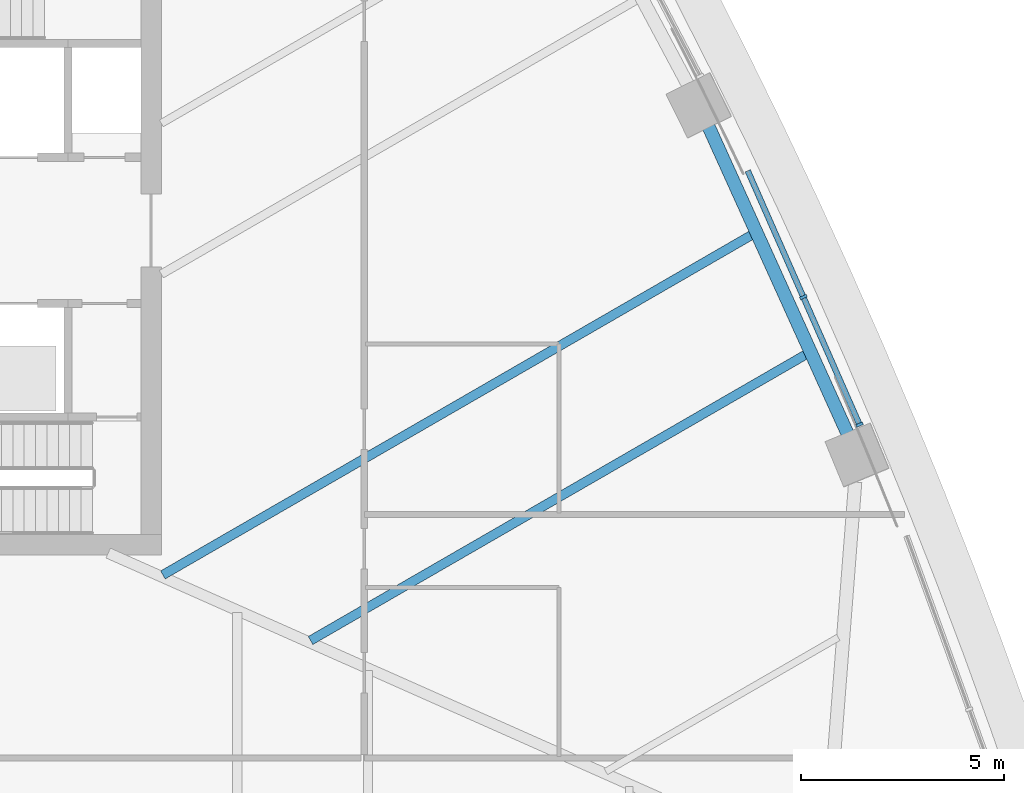
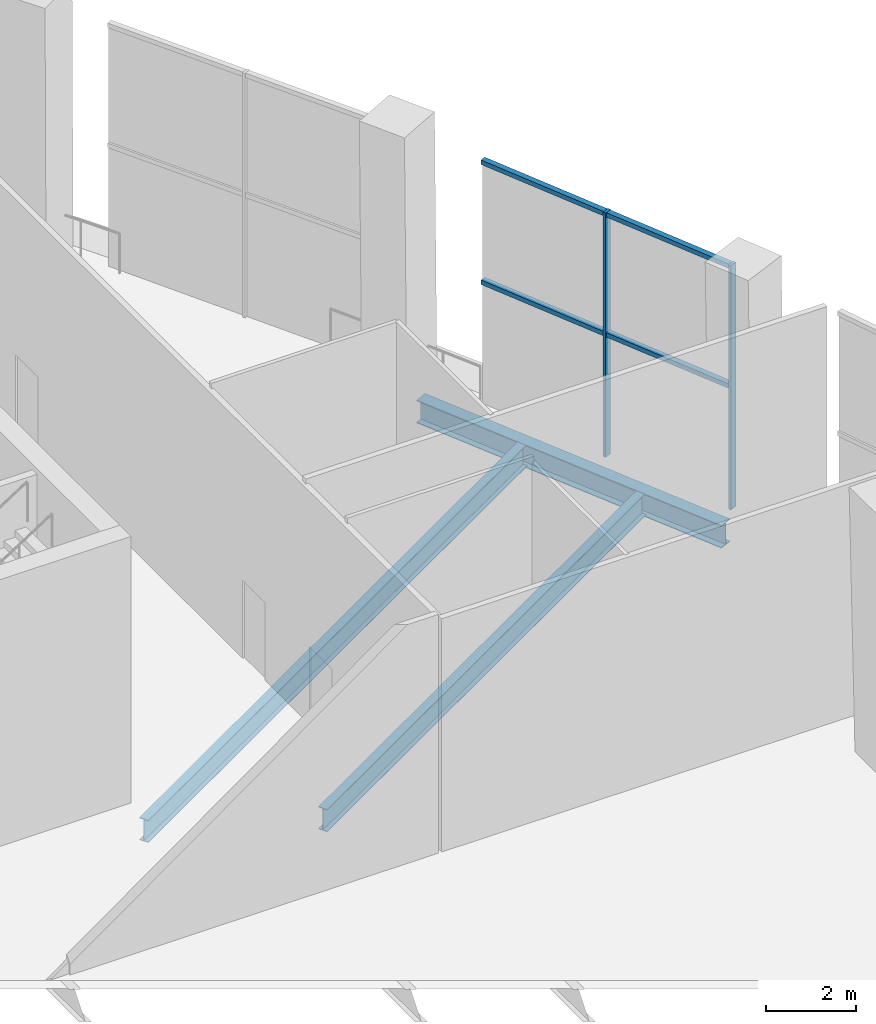
# One storey, part 6 of 23: 6 members, 3 beams, 1 element without a shape of its own.
"""IFC4 building model written with IfcOpenShell, lengths in metres."""

from ifc_helpers import new_model, si_unit, direction, frame, origin, origin_2d, place, context, subcontext, project, spatial, rectangle, i_section, extrude, material, layer, layer_set, material_profile, profile_set, type_object, element, aggregate, save


model = new_model("IFC4")

# Units and contexts
model_context = context("Model", 3, precision=1e-05, world=origin(), true_north=direction((0.0, 1.0)))
body_context = subcontext(model_context, "Body", "Model", "MODEL_VIEW")
ifc_project = project(units=[si_unit("LENGTHUNIT", "METRE"), si_unit("AREAUNIT", "SQUARE_METRE"), si_unit("VOLUMEUNIT", "CUBIC_METRE"), si_unit("PLANEANGLEUNIT", "RADIAN"), si_unit("MASSUNIT", "GRAM", prefix="KILO")], contexts=[model_context])

# Site, building, storey
site_placement = place(None, origin())
site = spatial("IfcSite", under=ifc_project, at=site_placement, CompositionType="ELEMENT")
building_placement = place(site_placement, origin())
building = spatial("IfcBuilding", under=site, at=building_placement, Name="Sierra Prisma Convention Tower", CompositionType="ELEMENT")
storey_placement = place(building_placement, frame((0.0, 0.0, 40.800048828125)))
storey = spatial("IfcBuildingStorey", under=building, at=storey_placement, Name="L06", CompositionType="ELEMENT", Elevation=40.800048828125)

# Curtain wall, members
ifc_material_1 = material(Name="Aluminium and glass curtain wall", Category="aluminium")
ifc_layer = layer(ifc_material_1, 0.179931640625)
ifc_layer_set = layer_set([ifc_layer], Name="CW-4 Sky lobby double-height curtain wall")
curtain_wall_type = type_object("IfcCurtainWallType", Name="CW-4 Sky lobby double-height curtain wall", PredefinedType="NOTDEFINED", material=ifc_layer_set)
curtain_wall_placement = place(storey_placement, origin())
curtain_wall = element("IfcCurtainWall", 1, at=curtain_wall_placement, inside=storey, type_object=curtain_wall_type, Name="CW-4 NE2 L06", PredefinedType="NOTDEFINED")
ifc_material_2 = material(Name="Aluminium 6063-T6 bronze anodised", Category="aluminium")
ifc_material_profile_1 = material_profile(ifc_material_2, rectangle(XDim=0.179931640625, YDim=0.070068359375, at=origin_2d()), Name="ALU MULLION 70x180")
ifc_profile_set_1 = profile_set([ifc_material_profile_1], Name="Aluminium 6063-T6 bronze anodised")
member_type_1 = type_object("IfcMemberType", Name="CW mullion bronze", PredefinedType="MULLION", material=ifc_profile_set_1)
member_1_placement = place(storey_placement, frame((28.20361328125, -4.787841796875, 0.0), z_axis=(0.0, 0.0, 1.0), x_axis=(-0.915207126716, -0.40298376544, 0.0)))
member_1 = element("IfcMember", 2, at=member_1_placement, type_object=member_type_1, Name="CW-4 mullion NE2.1", PredefinedType="MULLION", context=body_context, shape_type="SweptSolid", body=[
    extrude(rectangle(XDim=0.179931640625, YDim=0.070068359375, at=origin_2d()), origin(), (0.0, 0.0, 1.0), 6.599853515625),
])
member_2_placement = place(storey_placement, frame((26.81982421875, -1.644775390625, 0.0), z_axis=(0.0, 0.0, 1.0), x_axis=(-0.915207126716, -0.40298376544, 0.0)))
member_2 = element("IfcMember", 3, at=member_2_placement, type_object=member_type_1, Name="CW-4 mullion NE2.2", PredefinedType="MULLION", context=body_context, shape_type="SweptSolid", body=[
    extrude(rectangle(XDim=0.179931640625, YDim=0.070068359375, at=origin_2d()), origin(), (0.0, 0.0, 1.0), 6.599853515625),
])
ifc_material_3 = material(Name="Aluminium 6063-T6 bronze anodised", Category="aluminium")
ifc_material_profile_2 = material_profile(ifc_material_3, rectangle(XDim=0.139892578125, YDim=0.1201171875, at=origin_2d()), Name="ALU TRANSOM 120x140")
ifc_profile_set_2 = profile_set([ifc_material_profile_2], Name="Aluminium 6063-T6 bronze anodised")
member_type_2 = type_object("IfcMemberType", Name="CW transom bronze", PredefinedType="USERDEFINED", material=ifc_profile_set_2)
member_3_placement = place(storey_placement, frame((28.189697265625, -4.755615234375, 6.5400390625), z_axis=(-0.4029915303, 0.915203707656, 0.0), x_axis=(-0.915203707656, -0.4029915303, 0.0)))
member_3 = element("IfcMember", 4, at=member_3_placement, type_object=member_type_2, Name="CW-4 transom NE2.1", ObjectType="TRANSOM", PredefinedType="USERDEFINED", context=body_context, shape_type="SweptSolid", body=[
    extrude(rectangle(XDim=0.139892578125, YDim=0.1201171875, at=origin_2d()), origin(), (0.0, 0.0, 1.0), 3.364013671875),
])
member_4_placement = place(storey_placement, frame((28.189697265625, -4.755615234375, 3.300048828125), z_axis=(-0.4029915303, 0.915203707656, 0.0), x_axis=(-0.915203707656, -0.4029915303, 0.0)))
member_4 = element("IfcMember", 5, at=member_4_placement, type_object=member_type_2, Name="CW-4 transom NE2.1 mid", ObjectType="TRANSOM", PredefinedType="USERDEFINED", context=body_context, shape_type="SweptSolid", body=[
    extrude(rectangle(XDim=0.139892578125, YDim=0.1201171875, at=origin_2d()), origin(), (0.0, 0.0, 1.0), 3.364013671875),
])
member_5_placement = place(storey_placement, frame((26.8056640625, -1.61279296875, 6.5400390625), z_axis=(-0.4029915303, 0.915203707656, 0.0), x_axis=(-0.915203707656, -0.4029915303, 0.0)))
member_5 = element("IfcMember", 6, at=member_5_placement, type_object=member_type_2, Name="CW-4 transom NE2.2", ObjectType="TRANSOM", PredefinedType="USERDEFINED", context=body_context, shape_type="SweptSolid", body=[
    extrude(rectangle(XDim=0.139892578125, YDim=0.1201171875, at=origin_2d()), origin(), (0.0, 0.0, 1.0), 3.364013671875),
])
member_6_placement = place(storey_placement, frame((26.8056640625, -1.61279296875, 3.300048828125), z_axis=(-0.4029915303, 0.915203707656, 0.0), x_axis=(-0.915203707656, -0.4029915303, 0.0)))
member_6 = element("IfcMember", 7, at=member_6_placement, type_object=member_type_2, Name="CW-4 transom NE2.2 mid", ObjectType="TRANSOM", PredefinedType="USERDEFINED", context=body_context, shape_type="SweptSolid", body=[
    extrude(rectangle(XDim=0.139892578125, YDim=0.1201171875, at=origin_2d()), origin(), (0.0, 0.0, 1.0), 3.364013671875),
])
aggregate(curtain_wall, [member_1, member_2, member_3, member_4, member_5, member_6])

# Beams
ifc_material_4 = material(Name="Steel ASTM A992 Gr 50", Category="steel")
ifc_material_profile_3 = material_profile(ifc_material_4, i_section(OverallWidth=0.22802734375, OverallDepth=0.60302734375, WebThickness=0.010498046875, FlangeThickness=0.014892578125, at=origin_2d()), Name="W610x101")
ifc_profile_set_3 = profile_set([ifc_material_profile_3], Name="Steel ASTM A992 Gr 50")
beam_type_1 = type_object("IfcBeamType", Name="Floor joist W610x101", PredefinedType="JOIST", material=ifc_profile_set_3)
beam_1_placement = place(storey_placement, frame((26.8984375, -3.05078125, -0.45166015625), z_axis=(-0.866026560962, -0.499997995704, 0.0), x_axis=(0.499997995704, -0.866026560962, 0.0)))
element("IfcBeam", 8, at=beam_1_placement, inside=storey, type_object=beam_type_1, Name="Floor joist L06 NE04", PredefinedType="JOIST", context=body_context, shape_type="SweptSolid", body=[
    extrude(i_section(OverallWidth=0.22802734375, OverallDepth=0.60302734375, WebThickness=0.010498046875, FlangeThickness=0.014892578125, at=origin_2d()), origin(), (0.0, 0.0, 1.0), 14.1123046875),
])
beam_2_placement = place(storey_placement, frame((25.56494140625, -0.1044921875, -0.45166015625), z_axis=(-0.866022225633, -0.500005504679, 0.0), x_axis=(0.500005504679, -0.866022225633, 0.0)))
element("IfcBeam", 9, at=beam_2_placement, inside=storey, type_object=beam_type_1, Name="Floor joist L06 NE05", PredefinedType="JOIST", context=body_context, shape_type="SweptSolid", body=[
    extrude(i_section(OverallWidth=0.22802734375, OverallDepth=0.60302734375, WebThickness=0.010498046875, FlangeThickness=0.014892578125, at=origin_2d()), origin(), (0.0, 0.0, 1.0), 16.774169921875),
])
ifc_material_5 = material(Name="Steel ASTM A992 Gr 50", Category="steel")
ifc_material_profile_4 = material_profile(ifc_material_5, i_section(OverallWidth=0.324951171875, OverallDepth=0.615966796875, WebThickness=0.013916015625, FlangeThickness=0.021484375, at=origin_2d()), Name="W610x174")
ifc_profile_set_4 = profile_set([ifc_material_profile_4], Name="Steel ASTM A992 Gr 50")
beam_type_2 = type_object("IfcBeamType", Name="Spandrel beam W610x174", PredefinedType="BEAM", material=ifc_profile_set_4)
beam_3_placement = place(storey_placement, frame((27.90966796875, -5.011962890625, -0.4580078125), z_axis=(-0.412304467904, 0.911046116147, 0.0), x_axis=(-0.911046116147, -0.412304467904, 0.0)))
element("IfcBeam", 10, at=beam_3_placement, inside=storey, type_object=beam_type_2, Name="Spandrel L06-08", PredefinedType="BEAM", context=body_context, shape_type="SweptSolid", body=[
    extrude(i_section(OverallWidth=0.324951171875, OverallDepth=0.615966796875, WebThickness=0.013916015625, FlangeThickness=0.021484375, at=origin_2d()), origin(), (0.0, 0.0, 1.0), 8.30126953125),
])

save(model, "model.ifc")
